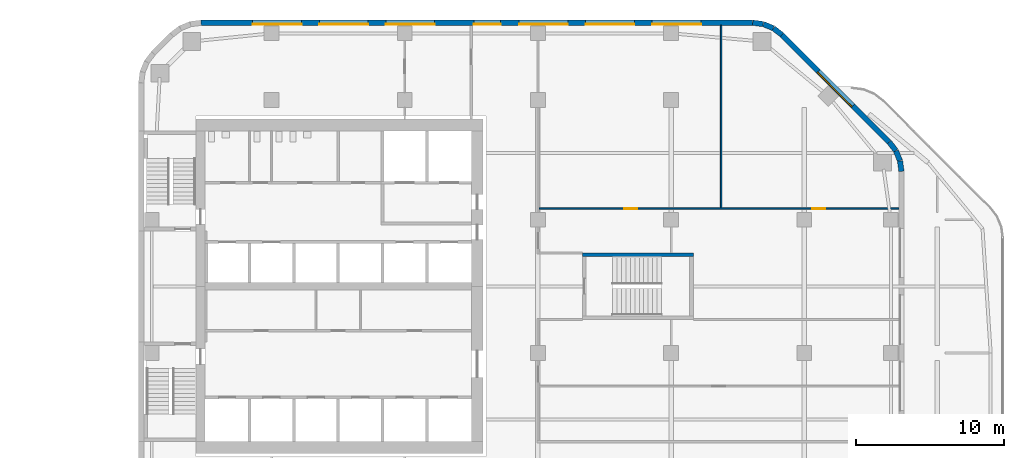
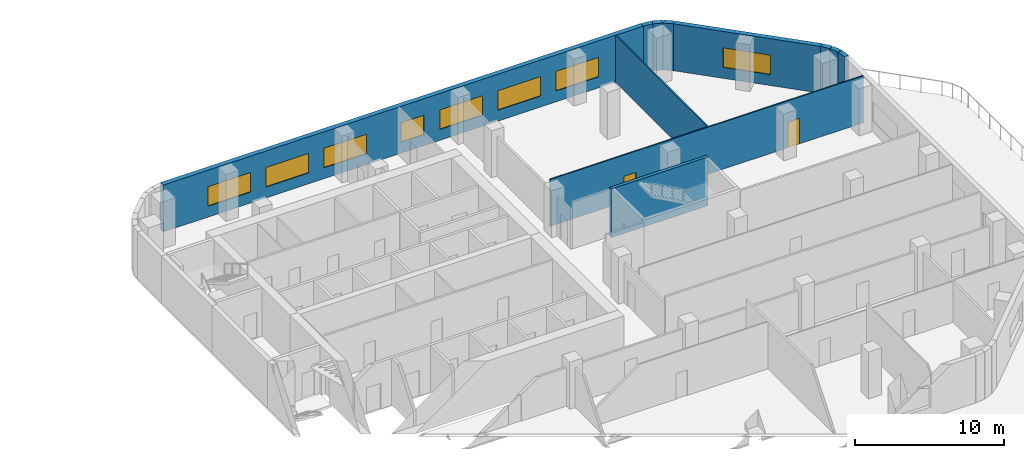
# One storey, part 11 of 15: 11 walls, 8 windows, 2 doors, 10 openings.
"""IFC4 building model written with IfcOpenShell, lengths in metres."""

from ifc_helpers import new_model, si_unit, direction, frame, frame_2d, origin, place, context, subcontext, project, spatial, rectangle, extrude, material, layer, layer_set, type_object, element, fill, save


model = new_model("IFC4")

# Units and contexts
model_context = context("Model", 3, precision=1e-05, world=origin(), true_north=direction((0.0, 1.0)))
body_context = subcontext(model_context, "Body", "Model", "MODEL_VIEW")
ifc_project = project(units=[si_unit("LENGTHUNIT", "METRE"), si_unit("AREAUNIT", "SQUARE_METRE"), si_unit("VOLUMEUNIT", "CUBIC_METRE"), si_unit("PLANEANGLEUNIT", "RADIAN"), si_unit("MASSUNIT", "GRAM", prefix="KILO")], contexts=[model_context])

# Site, building, storey
site_placement = place(None, origin())
site = spatial("IfcSite", under=ifc_project, at=site_placement, CompositionType="ELEMENT")
building_placement = place(site_placement, origin())
building = spatial("IfcBuilding", under=site, at=building_placement, Name="Cinnabar Reach Civic Tower", CompositionType="ELEMENT")
storey_placement = place(building_placement, frame((0.0, 0.0, 100.0)))
storey = spatial("IfcBuildingStorey", under=building, at=storey_placement, Name="L23", CompositionType="ELEMENT", Elevation=100.0)

# Walls
ifc_material_1 = material(Name="Facing brick with insulated backing", Category="masonry")
ifc_layer_1 = layer(ifc_material_1, 0.36)
ifc_layer_set_1 = layer_set([ifc_layer_1], Name="Brick corner wall")
wall_type_1 = type_object("IfcWallType", Name="Brick corner wall", PredefinedType="STANDARD", material=ifc_layer_set_1)
for number, where, z_axis, x_axis, name in (
    (1, (51.567, 39.2686, 0.0), (0.0, 0.0, 1.0), (-0.13055608231, 0.99144092581, 0.0), "Brick corner wall"),
    (2, (51.4681, 39.9973, 0.0), (0.0, 0.0, 1.0), (-0.382702709855, 0.923871547278, 0.0), "Brick corner wall"),
):
    element("IfcWall", number, at=place(storey_placement, frame(where, z_axis=z_axis, x_axis=x_axis)), inside=storey, type_object=wall_type_1, Name=name, PredefinedType="STANDARD", context=body_context, shape_type="SweptSolid", body=[
        extrude(rectangle(XDim=0.7131, YDim=0.36, at=frame_2d((0.3565, 0.0))), origin(), (0.0, 0.0, 1.0), 3.85),
    ])
for number, where, z_axis, x_axis, name in (
    (3, (51.184, 40.6755, 0.0), (0.0, 0.0, 1.0), (-0.608802368033, 0.793321924995, 0.0), "Brick corner wall"),
    (4, (43.4913, 48.4998, 0.0), (0.0, 0.0, 1.0), (-0.793321924995, 0.608802368033, 0.0), "Brick corner wall"),
):
    element("IfcWall", number, at=place(storey_placement, frame(where, z_axis=z_axis, x_axis=x_axis)), inside=storey, type_object=wall_type_1, Name=name, PredefinedType="STANDARD", context=body_context, shape_type="SweptSolid", body=[
        extrude(rectangle(XDim=0.7132, YDim=0.36, at=frame_2d((0.3566, 0.0))), origin(), (0.0, 0.0, 1.0), 3.85),
    ])
for number, where, z_axis, x_axis, name in (
    (5, (42.9061, 48.9452, 0.0), (0.0, 0.0, 1.0), (-0.923871547278, 0.382702709855, 0.0), "Brick corner wall"),
    (6, (42.2256, 49.2239, 0.0), (0.0, 0.0, 1.0), (-0.99144092581, 0.13055608231, 0.0), "Brick corner wall"),
):
    element("IfcWall", number, at=place(storey_placement, frame(where, z_axis=z_axis, x_axis=x_axis)), inside=storey, type_object=wall_type_1, Name=name, PredefinedType="STANDARD", context=body_context, shape_type="SweptSolid", body=[
        extrude(rectangle(XDim=0.7131, YDim=0.36, at=frame_2d((0.3565, 0.0))), origin(), (0.0, 0.0, 1.0), 3.85),
    ])

# Wall, opening, window
ifc_layer_2 = layer(ifc_material_1, 0.36)
ifc_layer_set_2 = layer_set([ifc_layer_2], Name="Brick pier and spandrel wall")
wall_type_2 = type_object("IfcWallType", Name="Brick pier and spandrel wall", PredefinedType="STANDARD", material=ifc_layer_set_2)
wall_1_placement = place(storey_placement, frame((50.744, 41.2514, 0.0), z_axis=(0.0, 0.0, 1.0), x_axis=(-0.707106781187, 0.707106781187, 0.0)))
wall_1 = element("IfcWall", 7, at=wall_1_placement, inside=storey, type_object=wall_type_2, Name="Brick facade wall", PredefinedType="STANDARD", context=body_context, shape_type="SweptSolid", body=[
    extrude(rectangle(XDim=10.2426, YDim=0.36, at=frame_2d((5.1213, 0.0))), origin(), (0.0, 0.0, 1.0), 3.85),
])
opening_1_placement = place(wall_1_placement, frame((3.4713, 0.0, 0.9)))
opening_1 = element("IfcOpeningElement", 8, at=opening_1_placement, cuts=wall_1, Name="Opening W1491", PredefinedType="OPENING", context=body_context, shape_type="SweptSolid", body=[
    extrude(rectangle(XDim=3.3, YDim=1.6, at=frame_2d((1.65, 0.8))), frame((0.0, 0.19, 0.0), z_axis=(0.0, -1.0, 0.0), x_axis=(1.0, 0.0, 0.0)), (0.0, 0.0, 1.0), 0.38),
])
ifc_material_2 = material(Name="Clear double glazing in aluminium frame", Category="aluminium")
window_type_1 = type_object("IfcWindowType", Name="Deep-set window A", PartitioningType="SINGLE_PANEL", PredefinedType="WINDOW", material=ifc_material_2)
window_1_placement = place(opening_1_placement, origin())
window_1 = element("IfcWindow", 9, at=window_1_placement, inside=storey, type_object=window_type_1, Name="Window northeast face", OverallHeight=1.6, OverallWidth=3.3, PartitioningType="SINGLE_PANEL", PredefinedType="WINDOW", context=body_context, shape_type="SweptSolid", body=[
    extrude(rectangle(XDim=3.3, YDim=1.6, at=frame_2d((1.65, 0.8))), frame((0.0, 0.13, 0.0), z_axis=(0.0, -1.0, 0.0), x_axis=(1.0, 0.0, 0.0)), (0.0, 0.0, 1.0), 0.06),
])
fill(opening_1, window_1)

# Wall, openings, windows
wall_2_placement = place(storey_placement, frame((41.5074, 49.32, 0.0), z_axis=(0.0, 0.0, 1.0), x_axis=(-1.0, 0.0, 0.0)))
wall_2 = element("IfcWall", 10, at=wall_2_placement, inside=storey, type_object=wall_type_2, Name="Brick facade wall", PredefinedType="STANDARD", context=body_context, shape_type="SweptSolid", body=[
    extrude(rectangle(XDim=37.2648, YDim=0.36, at=frame_2d((18.6324, 0.0))), origin(), (0.0, 0.0, 1.0), 3.85),
])
opening_2_placement = place(wall_2_placement, frame((3.4824, 0.0, 0.9)))
opening_2 = element("IfcOpeningElement", 11, at=opening_2_placement, cuts=wall_2, Name="Opening W1492", PredefinedType="OPENING", context=body_context, shape_type="SweptSolid", body=[
    extrude(rectangle(XDim=3.3, YDim=1.6, at=frame_2d((1.65, 0.8))), frame((0.0, 0.19, 0.0), z_axis=(0.0, -1.0, 0.0), x_axis=(1.0, 0.0, 0.0)), (0.0, 0.0, 1.0), 0.38),
])
opening_3_placement = place(wall_2_placement, frame((7.9824, 0.0, 0.9)))
opening_3 = element("IfcOpeningElement", 12, at=opening_3_placement, cuts=wall_2, Name="Opening W1493", PredefinedType="OPENING", context=body_context, shape_type="SweptSolid", body=[
    extrude(rectangle(XDim=3.3, YDim=1.6, at=frame_2d((1.65, 0.8))), frame((0.0, 0.19, 0.0), z_axis=(0.0, -1.0, 0.0), x_axis=(1.0, 0.0, 0.0)), (0.0, 0.0, 1.0), 0.38),
])
opening_4_placement = place(wall_2_placement, frame((12.4824, 0.0, 0.9)))
opening_4 = element("IfcOpeningElement", 13, at=opening_4_placement, cuts=wall_2, Name="Opening W1494", PredefinedType="OPENING", context=body_context, shape_type="SweptSolid", body=[
    extrude(rectangle(XDim=3.3, YDim=1.6, at=frame_2d((1.65, 0.8))), frame((0.0, 0.19, 0.0), z_axis=(0.0, -1.0, 0.0), x_axis=(1.0, 0.0, 0.0)), (0.0, 0.0, 1.0), 0.38),
])
opening_5_placement = place(wall_2_placement, frame((17.0324, 0.0, 0.9)))
opening_5 = element("IfcOpeningElement", 14, at=opening_5_placement, cuts=wall_2, Name="Opening W1495", PredefinedType="OPENING", context=body_context, shape_type="SweptSolid", body=[
    extrude(rectangle(XDim=1.8, YDim=1.6, at=frame_2d((0.9, 0.8))), frame((0.0, 0.19, 0.0), z_axis=(0.0, -1.0, 0.0), x_axis=(1.0, 0.0, 0.0)), (0.0, 0.0, 1.0), 0.38),
])
opening_6_placement = place(wall_2_placement, frame((21.4824, 0.0, 0.9)))
opening_6 = element("IfcOpeningElement", 15, at=opening_6_placement, cuts=wall_2, Name="Opening W1496", PredefinedType="OPENING", context=body_context, shape_type="SweptSolid", body=[
    extrude(rectangle(XDim=3.3, YDim=1.6, at=frame_2d((1.65, 0.8))), frame((0.0, 0.19, 0.0), z_axis=(0.0, -1.0, 0.0), x_axis=(1.0, 0.0, 0.0)), (0.0, 0.0, 1.0), 0.38),
])
opening_7_placement = place(wall_2_placement, frame((25.9824, 0.0, 0.9)))
opening_7 = element("IfcOpeningElement", 16, at=opening_7_placement, cuts=wall_2, Name="Opening W1497", PredefinedType="OPENING", context=body_context, shape_type="SweptSolid", body=[
    extrude(rectangle(XDim=3.3, YDim=1.6, at=frame_2d((1.65, 0.8))), frame((0.0, 0.19, 0.0), z_axis=(0.0, -1.0, 0.0), x_axis=(1.0, 0.0, 0.0)), (0.0, 0.0, 1.0), 0.38),
])
opening_8_placement = place(wall_2_placement, frame((30.4824, 0.0, 0.9)))
opening_8 = element("IfcOpeningElement", 17, at=opening_8_placement, cuts=wall_2, Name="Opening W1498", PredefinedType="OPENING", context=body_context, shape_type="SweptSolid", body=[
    extrude(rectangle(XDim=3.3, YDim=1.6, at=frame_2d((1.65, 0.8))), frame((0.0, 0.19, 0.0), z_axis=(0.0, -1.0, 0.0), x_axis=(1.0, 0.0, 0.0)), (0.0, 0.0, 1.0), 0.38),
])
window_2_placement = place(opening_2_placement, origin())
window_2 = element("IfcWindow", 18, at=window_2_placement, inside=storey, type_object=window_type_1, Name="Window north face", OverallHeight=1.6, OverallWidth=3.3, PartitioningType="SINGLE_PANEL", PredefinedType="WINDOW", context=body_context, shape_type="SweptSolid", body=[
    extrude(rectangle(XDim=3.3, YDim=1.6, at=frame_2d((1.65, 0.8))), frame((0.0, 0.13, 0.0), z_axis=(0.0, -1.0, 0.0), x_axis=(1.0, 0.0, 0.0)), (0.0, 0.0, 1.0), 0.06),
])
fill(opening_2, window_2)
window_3_placement = place(opening_3_placement, origin())
window_3 = element("IfcWindow", 19, at=window_3_placement, inside=storey, type_object=window_type_1, Name="Window north face", OverallHeight=1.6, OverallWidth=3.3, PartitioningType="SINGLE_PANEL", PredefinedType="WINDOW", context=body_context, shape_type="SweptSolid", body=[
    extrude(rectangle(XDim=3.3, YDim=1.6, at=frame_2d((1.65, 0.8))), frame((0.0, 0.13, 0.0), z_axis=(0.0, -1.0, 0.0), x_axis=(1.0, 0.0, 0.0)), (0.0, 0.0, 1.0), 0.06),
])
fill(opening_3, window_3)
window_4_placement = place(opening_4_placement, origin())
window_4 = element("IfcWindow", 20, at=window_4_placement, inside=storey, type_object=window_type_1, Name="Window north face", OverallHeight=1.6, OverallWidth=3.3, PartitioningType="SINGLE_PANEL", PredefinedType="WINDOW", context=body_context, shape_type="SweptSolid", body=[
    extrude(rectangle(XDim=3.3, YDim=1.6, at=frame_2d((1.65, 0.8))), frame((0.0, 0.13, 0.0), z_axis=(0.0, -1.0, 0.0), x_axis=(1.0, 0.0, 0.0)), (0.0, 0.0, 1.0), 0.06),
])
fill(opening_4, window_4)
window_5_placement = place(opening_6_placement, origin())
window_5 = element("IfcWindow", 21, at=window_5_placement, inside=storey, type_object=window_type_1, Name="Window north face", OverallHeight=1.6, OverallWidth=3.3, PartitioningType="SINGLE_PANEL", PredefinedType="WINDOW", context=body_context, shape_type="SweptSolid", body=[
    extrude(rectangle(XDim=3.3, YDim=1.6, at=frame_2d((1.65, 0.8))), frame((0.0, 0.13, 0.0), z_axis=(0.0, -1.0, 0.0), x_axis=(1.0, 0.0, 0.0)), (0.0, 0.0, 1.0), 0.06),
])
fill(opening_6, window_5)
window_6_placement = place(opening_7_placement, origin())
window_6 = element("IfcWindow", 22, at=window_6_placement, inside=storey, type_object=window_type_1, Name="Window north face", OverallHeight=1.6, OverallWidth=3.3, PartitioningType="SINGLE_PANEL", PredefinedType="WINDOW", context=body_context, shape_type="SweptSolid", body=[
    extrude(rectangle(XDim=3.3, YDim=1.6, at=frame_2d((1.65, 0.8))), frame((0.0, 0.13, 0.0), z_axis=(0.0, -1.0, 0.0), x_axis=(1.0, 0.0, 0.0)), (0.0, 0.0, 1.0), 0.06),
])
fill(opening_7, window_6)
window_7_placement = place(opening_8_placement, origin())
window_7 = element("IfcWindow", 23, at=window_7_placement, inside=storey, type_object=window_type_1, Name="Window north face", OverallHeight=1.6, OverallWidth=3.3, PartitioningType="SINGLE_PANEL", PredefinedType="WINDOW", context=body_context, shape_type="SweptSolid", body=[
    extrude(rectangle(XDim=3.3, YDim=1.6, at=frame_2d((1.65, 0.8))), frame((0.0, 0.13, 0.0), z_axis=(0.0, -1.0, 0.0), x_axis=(1.0, 0.0, 0.0)), (0.0, 0.0, 1.0), 0.06),
])
fill(opening_8, window_7)
window_type_2 = type_object("IfcWindowType", Name="Deep-set window D", PartitioningType="SINGLE_PANEL", PredefinedType="WINDOW", material=ifc_material_2)
window_8_placement = place(opening_5_placement, origin())
window_8 = element("IfcWindow", 24, at=window_8_placement, inside=storey, type_object=window_type_2, Name="Window north face", OverallHeight=1.6, OverallWidth=1.8, PartitioningType="SINGLE_PANEL", PredefinedType="WINDOW", context=body_context, shape_type="SweptSolid", body=[
    extrude(rectangle(XDim=1.8, YDim=1.6, at=frame_2d((0.9, 0.8))), frame((0.0, 0.13, 0.0), z_axis=(0.0, -1.0, 0.0), x_axis=(1.0, 0.0, 0.0)), (0.0, 0.0, 1.0), 0.06),
])
fill(opening_5, window_8)

# Wall, openings, doors
ifc_material_3 = material(Name="Gypsum board on steel studs", Category="steel")
ifc_layer_3 = layer(ifc_material_3, 0.1)
ifc_layer_set_3 = layer_set([ifc_layer_3], Name="Partition wall 100 T1")
wall_type_3 = type_object("IfcWallType", Name="Partition wall 100 T1", PredefinedType="PARTITIONING", material=ifc_layer_set_3)
wall_3_placement = place(storey_placement, frame((27.075, 36.75, 0.0), z_axis=(0.0, 0.0, 1.0), x_axis=(1.0, 0.0, 0.0)))
wall_3 = element("IfcWall", 25, at=wall_3_placement, inside=storey, type_object=wall_type_3, Name="Partition wall 46", PredefinedType="PARTITIONING", context=body_context, shape_type="SweptSolid", body=[
    extrude(rectangle(XDim=24.315, YDim=0.1, at=frame_2d((12.1575, 0.0))), origin(), (0.0, 0.0, 1.0), 3.85),
])
opening_9_placement = place(wall_3_placement, frame((5.75, 0.0, 0.0)))
opening_9 = element("IfcOpeningElement", 26, at=opening_9_placement, cuts=wall_3, Name="Opening D3945", PredefinedType="OPENING", context=body_context, shape_type="SweptSolid", body=[
    extrude(rectangle(XDim=0.9, YDim=2.1, at=frame_2d((0.45, 1.05))), frame((0.0, 0.06, 0.0), z_axis=(0.0, -1.0, 0.0), x_axis=(1.0, 0.0, 0.0)), (0.0, 0.0, 1.0), 0.12),
])
opening_10_placement = place(wall_3_placement, frame((18.45, 0.0, 0.0)))
opening_10 = element("IfcOpeningElement", 27, at=opening_10_placement, cuts=wall_3, Name="Opening D3946", PredefinedType="OPENING", context=body_context, shape_type="SweptSolid", body=[
    extrude(rectangle(XDim=0.9, YDim=2.1, at=frame_2d((0.45, 1.05))), frame((0.0, 0.06, 0.0), z_axis=(0.0, -1.0, 0.0), x_axis=(1.0, 0.0, 0.0)), (0.0, 0.0, 1.0), 0.12),
])
ifc_material_4 = material(Name="Timber door leaf in steel frame", Category="steel")
door_type = type_object("IfcDoorType", Name="Single swing door 900 x 2100 T1", OperationType="SINGLE_SWING_LEFT", PredefinedType="DOOR", material=ifc_material_4)
door_1_placement = place(opening_9_placement, frame((0.9, 0.0, 0.0), z_axis=(0.0, 0.0, 1.0), x_axis=(-1.0, 0.0, 0.0)))
door_1 = element("IfcDoor", 28, at=door_1_placement, inside=storey, type_object=door_type, Name="Door D3945", OperationType="SINGLE_SWING_RIGHT", OverallHeight=2.1, OverallWidth=0.9, PredefinedType="DOOR", context=body_context, shape_type="SweptSolid", body=[
    extrude(rectangle(XDim=0.9, YDim=2.1, at=frame_2d((0.45, 1.05))), frame((0.0, 0.025, 0.0), z_axis=(0.0, -1.0, 0.0), x_axis=(1.0, 0.0, 0.0)), (0.0, 0.0, 1.0), 0.05),
])
fill(opening_9, door_1)
door_2_placement = place(opening_10_placement, origin())
door_2 = element("IfcDoor", 29, at=door_2_placement, inside=storey, type_object=door_type, Name="Door D3946", OperationType="SINGLE_SWING_LEFT", OverallHeight=2.1, OverallWidth=0.9, PredefinedType="DOOR", context=body_context, shape_type="SweptSolid", body=[
    extrude(rectangle(XDim=0.9, YDim=2.1, at=frame_2d((0.45, 1.05))), frame((0.0, 0.025, 0.0), z_axis=(0.0, -1.0, 0.0), x_axis=(1.0, 0.0, 0.0)), (0.0, 0.0, 1.0), 0.05),
])
fill(opening_10, door_2)

# Walls
wall_4_placement = place(storey_placement, frame((39.375, 36.8, 0.0), z_axis=(0.0, 0.0, 1.0), x_axis=(0.0, 1.0, 0.0)))
element("IfcWall", 30, at=wall_4_placement, inside=storey, type_object=wall_type_3, Name="Partition wall 51", PredefinedType="PARTITIONING", context=body_context, shape_type="SweptSolid", body=[
    extrude(rectangle(XDim=12.34, YDim=0.1, at=frame_2d((6.17, 0.0))), origin(), (0.0, 0.0, 1.0), 3.85),
])
ifc_material_5 = material(Name="Concrete C60", Category="concrete")
ifc_layer_4 = layer(ifc_material_5, 0.25)
ifc_layer_set_4 = layer_set([ifc_layer_4], Name="Stair shaft wall 250 EI 120")
wall_type_4 = type_object("IfcWallType", Name="Stair shaft wall 250 EI 120", PredefinedType="SOLIDWALL", material=ifc_layer_set_4)
wall_5_placement = place(storey_placement, frame((37.5, 33.625, 0.0), z_axis=(0.0, 0.0, 1.0), x_axis=(-1.0, 0.0, 0.0)))
element("IfcWall", 31, at=wall_5_placement, inside=storey, type_object=wall_type_4, Name="Stair shaft wall T1-S3 L23", PredefinedType="SOLIDWALL", context=body_context, shape_type="SweptSolid", body=[
    extrude(rectangle(XDim=7.5, YDim=0.25, at=frame_2d((3.75, 0.0))), origin(), (0.0, 0.0, 1.0), 4.0),
])

save(model, "model.ifc")
